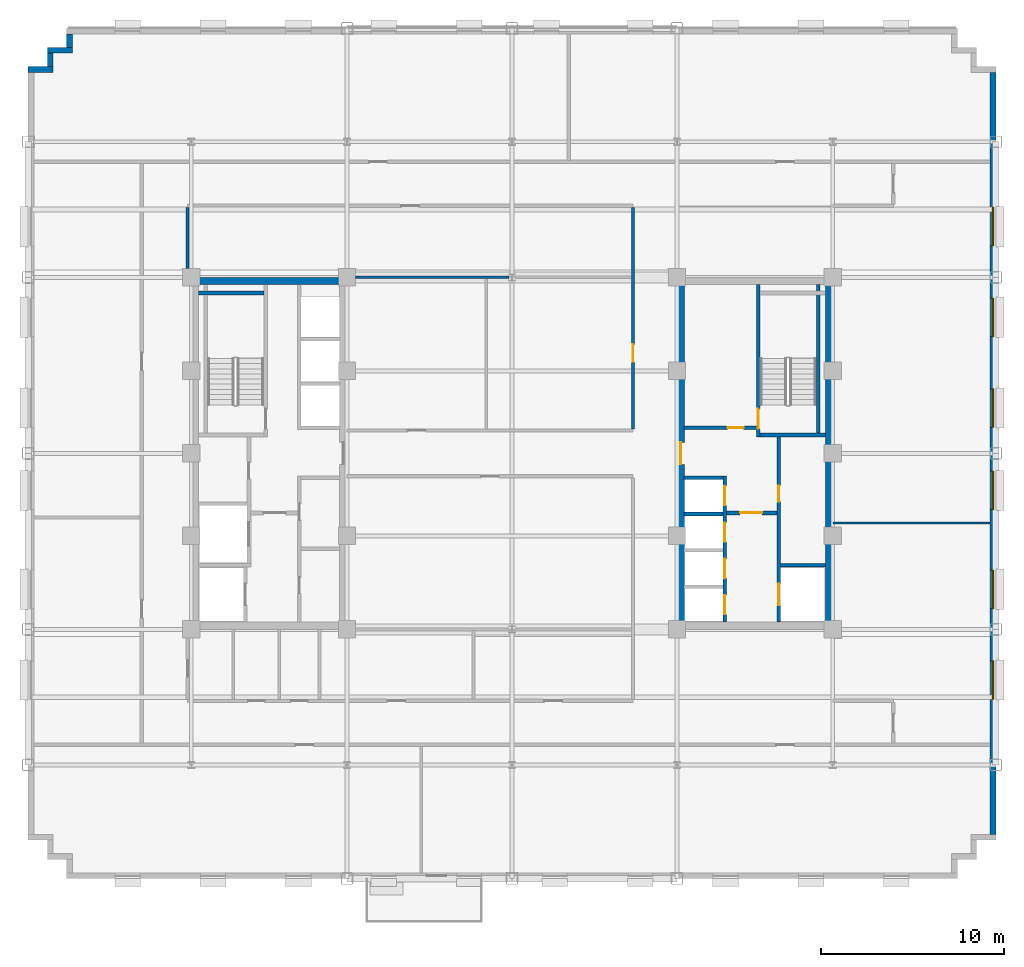
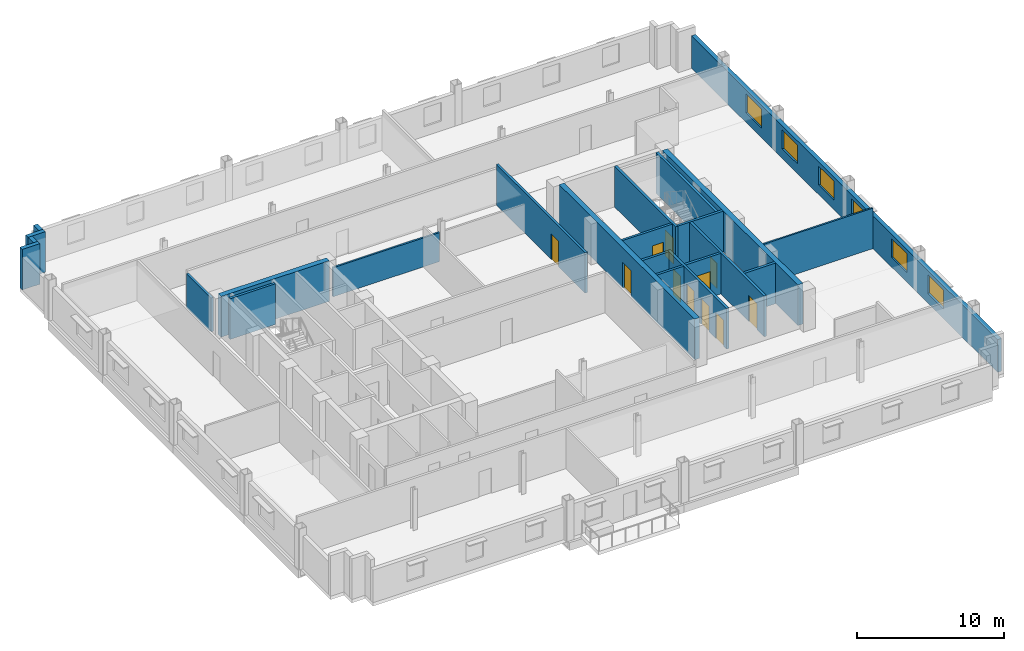
# One storey, part 8 of 14: 23 walls, 11 doors, 6 windows, 17 openings.
"""IFC4 building model written with IfcOpenShell, lengths in metres."""

import ifcopenshell
import ifcopenshell.guid

model = None  # the IFC model being written
_history = None  # IfcOwnerHistory: only IFC2X3 demands one
_inside = {}  # id of a spatial element -> (the spatial element, [elements in it])
_under = {}  # id of a project, library or spatial element -> (it, [spatial elements below it])
_declared = {}  # id of a project -> (the project, [libraries it declares])
_typed = {}  # id of a type object -> (the type object, [elements of that type])
_made_of = {}  # id of a material, layer set ... -> (it, [elements and type objects made of it])


def new_model(schema):
    """Start an empty IFC model of exactly this schema.

    Asked for "IFC4X3", IfcOpenShell would pick the latest addendum, in which some entities
    have other attributes; the version numbers below select the first issue.
    IFC2X3 requires an IfcOwnerHistory on every rooted entity: one is made here for all.
    """
    global model, _history
    if schema == "IFC4X3":
        model = ifcopenshell.file(schema_version=(4, 3, 0, 0))
    else:
        model = ifcopenshell.file(schema=schema)
    _inside.clear()
    _under.clear()
    _declared.clear()
    _typed.clear()
    _made_of.clear()
    _history = None
    if model.schema == "IFC2X3":
        org = make("IfcOrganization", Name="unknown")
        user = make(
            "IfcPersonAndOrganization",
            ThePerson=make("IfcPerson", FamilyName="unknown"),
            TheOrganization=org,
        )
        app = make(
            "IfcApplication",
            ApplicationDeveloper=org,
            Version="unknown",
            ApplicationFullName="unknown",
            ApplicationIdentifier="unknown",
        )
        _history = make(
            "IfcOwnerHistory",
            OwningUser=user,
            OwningApplication=app,
            ChangeAction="ADDED",
            CreationDate=0,
        )
    return model


def make(cls, **values):
    """One entity of the class cls with the attributes given. An attribute that is None is left unset."""
    return model.create_entity(
        cls, **{name: value for name, value in values.items() if value is not None}
    )


def rooted(cls, **values):
    """An entity with a GlobalId (a new one), such as an element, a storey or a relation."""
    return make(cls, GlobalId=ifcopenshell.guid.new(), OwnerHistory=_history, **values)


def si_unit(unit_type, name, prefix=None):
    """IfcSIUnit, for example si_unit("LENGTHUNIT", "METRE", prefix="MILLI")."""
    return make("IfcSIUnit", UnitType=unit_type, Prefix=prefix, Name=name)


def assignment(units):
    """IfcUnitAssignment: the units of a project."""
    return None if units is None else make("IfcUnitAssignment", Units=units)


def point(xyz):
    """IfcCartesianPoint."""
    return None if xyz is None else make("IfcCartesianPoint", Coordinates=xyz)


def direction(xyz):
    """IfcDirection."""
    return None if xyz is None else make("IfcDirection", DirectionRatios=xyz)


def frame(location, z_axis=None, x_axis=None):
    """IfcAxis2Placement3D, a coordinate frame: its origin and axes. An axis left out is left unset."""
    return make(
        "IfcAxis2Placement3D",
        Location=point(location),
        Axis=direction(z_axis),
        RefDirection=direction(x_axis),
    )


def frame_2d(location, x_axis=None):
    """IfcAxis2Placement2D, a coordinate frame in the plane: its origin and x axis."""
    return make(
        "IfcAxis2Placement2D", Location=point(location), RefDirection=direction(x_axis)
    )


def origin():
    """The frame at (0, 0, 0) with its axes left unset."""
    return frame((0.0, 0.0, 0.0))


def place(relative_to, where):
    """IfcLocalPlacement: puts the frame where relative to a parent placement (None: the world)."""
    return make(
        "IfcLocalPlacement", PlacementRelTo=relative_to, RelativePlacement=where
    )


def context(
    kind, dimensions, precision=None, world=None, true_north=None, identifier=None
):
    """IfcGeometricRepresentationContext, for example the 3D "Model" context."""
    return make(
        "IfcGeometricRepresentationContext",
        ContextIdentifier=identifier,
        ContextType=kind,
        CoordinateSpaceDimension=dimensions,
        Precision=precision,
        WorldCoordinateSystem=world,
        TrueNorth=true_north,
    )


def subcontext(parent, identifier, kind, view, scale=None):
    """IfcGeometricRepresentationSubContext, for example "Body" below "Model"."""
    return make(
        "IfcGeometricRepresentationSubContext",
        ContextIdentifier=identifier,
        ContextType=kind,
        ParentContext=parent,
        TargetScale=scale,
        TargetView=view,
    )


def project(units=None, contexts=None):
    """IfcProject with its units and contexts."""
    return rooted(
        "IfcProject",
        Name="project",
        RepresentationContexts=contexts,
        UnitsInContext=assignment(units),
    )


def spatial(cls, under=None, at=None, **own):
    """A site, building, storey or space (cls), placed at a placement, below another one or the project."""
    s = rooted(cls, ObjectPlacement=at, **own)
    if under is not None:
        _under.setdefault(under.id(), (under, []))[1].append(s)
    return s


def profile(cls, at=None, kind="AREA", **sizes):
    """A parametric profile (cls). Its sizes go by their IFC names, for example OverallWidth=200.0."""
    return make(cls, ProfileType=kind, Position=at, **sizes)


def rectangle(**sizes):
    """IfcRectangleProfileDef."""
    return profile("IfcRectangleProfileDef", **sizes)


def extrude(swept, where, along, depth):
    """IfcExtrudedAreaSolid: the profile swept, set in the frame where, extruded along a direction by depth."""
    return make(
        "IfcExtrudedAreaSolid",
        SweptArea=swept,
        Position=where,
        ExtrudedDirection=direction(along),
        Depth=depth,
    )


def shape(context_of_items, identifier, shape_type, items):
    """IfcShapeRepresentation: the items that make up one representation, for example the "Body"."""
    return make(
        "IfcShapeRepresentation",
        ContextOfItems=context_of_items,
        RepresentationIdentifier=identifier,
        RepresentationType=shape_type,
        Items=items,
    )


def source(mapping_origin, context_of_items, identifier, shape_type, items):
    """IfcRepresentationMap: a shape defined once, which mapped items show again and again."""
    return make(
        "IfcRepresentationMap",
        MappingOrigin=mapping_origin,
        MappedRepresentation=shape(context_of_items, identifier, shape_type, items),
    )


def transform(
    local_origin,
    x_axis=None,
    y_axis=None,
    z_axis=None,
    scale=None,
    scale2=None,
    scale3=None,
    uniform=True,
):
    """IfcCartesianTransformationOperator3D, or its non-uniform kind. x_axis, y_axis, z_axis: its Axis1, 2, 3."""
    if uniform:
        return make(
            "IfcCartesianTransformationOperator3D",
            Axis1=direction(x_axis),
            Axis2=direction(y_axis),
            LocalOrigin=point(local_origin),
            Scale=scale,
            Axis3=direction(z_axis),
        )
    return make(
        "IfcCartesianTransformationOperator3DnonUniform",
        Axis1=direction(x_axis),
        Axis2=direction(y_axis),
        LocalOrigin=point(local_origin),
        Scale=scale,
        Axis3=direction(z_axis),
        Scale2=scale2,
        Scale3=scale3,
    )


def mapped(mapping_source, mapping_target):
    """IfcMappedItem: shows the shape of a source again, moved by a transform."""
    return make(
        "IfcMappedItem", MappingSource=mapping_source, MappingTarget=mapping_target
    )


def material(Name=None, Category=None):
    """IfcMaterial."""
    return make("IfcMaterial", Name=Name, Category=Category)


def layer(
    of_material, thickness, ventilated=None, Name=None, Category=None, Priority=None
):
    """IfcMaterialLayer: one layer of a wall or slab, of a material (None: an air gap)."""
    return make(
        "IfcMaterialLayer",
        Material=of_material,
        LayerThickness=thickness,
        IsVentilated=ventilated,
        Name=Name,
        Category=Category,
        Priority=Priority,
    )


def layer_set(layers, Name=None):
    """IfcMaterialLayerSet."""
    return make("IfcMaterialLayerSet", MaterialLayers=layers, LayerSetName=Name)


def made_of(thing, what):
    """Note that an element or type object is made of a material, layer set ...; save() writes the relation."""
    if what is not None:
        _made_of.setdefault(what.id(), (what, []))[1].append(thing)
    return thing


def type_object(cls, material=None, **own):
    """A type object (cls), such as IfcWallType, which elements share."""
    return made_of(rooted(cls, **own), material)


def type_shapes(of_type, sources):
    """Give a type object the sources (RepresentationMaps) that its elements show as mapped items."""
    of_type.RepresentationMaps = sources


def element(
    cls,
    number,
    at=None,
    inside=None,
    cuts=None,
    type_object=None,
    material=None,
    context=None,
    identifier="Body",
    shape_type=None,
    held_by="IfcProductDefinitionShape",
    body=None,
    shapes=None,
    **own,
):
    """One element of the class cls, such as IfcWall. Its Tag is "e" and its number.

    at: its placement. inside: the storey or other place that contains it. cuts: it is an
    opening in that element (IfcRelVoidsElement). A single representation is given by context,
    identifier, shape_type and body (its items); several are given by shapes. held_by: the class
    of the entity that holds the representations. save() writes the other relations.
    """
    e = rooted(cls, Tag="e%d" % number, ObjectPlacement=at, **own)
    if body is not None:
        shapes = [shape(context, identifier, shape_type, body)]
    if shapes is not None:
        e.Representation = make(held_by, Representations=shapes)
    if inside is not None:
        _inside.setdefault(inside.id(), (inside, []))[1].append(e)
    if cuts is not None:
        rooted(
            "IfcRelVoidsElement", RelatingBuildingElement=cuts, RelatedOpeningElement=e
        )
    if type_object is not None:
        _typed.setdefault(type_object.id(), (type_object, []))[1].append(e)
    return made_of(e, material)


def fill(opening, filler):
    """IfcRelFillsElement: the door or window that sits in an opening."""
    return rooted(
        "IfcRelFillsElement",
        RelatingOpeningElement=opening,
        RelatedBuildingElement=filler,
    )


def aggregate(whole, parts):
    """IfcRelAggregates: a whole, such as a stair, and the parts it consists of."""
    return rooted("IfcRelAggregates", RelatingObject=whole, RelatedObjects=parts)


def save(model, path):
    """Write the relations noted so far, then the file.

    IfcRelAggregates (storeys below a building ...), IfcRelContainedInSpatialStructure (elements
    in a storey), IfcRelDefinesByType, IfcRelAssociatesMaterial and IfcRelDeclares: one each for
    every whole, place, type object, material and project.
    """
    for whole, parts in _under.values():
        aggregate(whole, parts)
    for where, things in _inside.values():
        rooted(
            "IfcRelContainedInSpatialStructure",
            RelatedElements=things,
            RelatingStructure=where,
        )
    for kind, things in _typed.values():
        rooted("IfcRelDefinesByType", RelatedObjects=things, RelatingType=kind)
    for what, things in _made_of.values():
        rooted("IfcRelAssociatesMaterial", RelatedObjects=things, RelatingMaterial=what)
    for by, libraries in _declared.values():
        rooted("IfcRelDeclares", RelatingContext=by, RelatedDefinitions=libraries)
    model.write(path)


model = new_model("IFC4")

# Units and contexts
model_context = context("Model", 3, precision=1e-05, world=origin(), true_north=direction((0.0, 1.0)))
body_context = subcontext(model_context, "Body", "Model", "MODEL_VIEW")
ifc_project = project(units=[si_unit("LENGTHUNIT", "METRE"), si_unit("AREAUNIT", "SQUARE_METRE"), si_unit("VOLUMEUNIT", "CUBIC_METRE"), si_unit("PLANEANGLEUNIT", "RADIAN"), si_unit("MASSUNIT", "GRAM", prefix="KILO")], contexts=[model_context])

# Site, building, storey
site_placement = place(None, origin())
site = spatial("IfcSite", under=ifc_project, at=site_placement, CompositionType="ELEMENT")
building_placement = place(site_placement, origin())
building = spatial("IfcBuilding", under=site, at=building_placement, Name="Nuvemarco Arch Tower", CompositionType="ELEMENT")
storey_placement = place(building_placement, frame((0.0, 0.0, 131.14990234375)))
storey = spatial("IfcBuildingStorey", under=building, at=storey_placement, Name="L34", CompositionType="ELEMENT", Elevation=131.14990234375)

# Wall, openings, windows
ifc_material_1 = material(Name="Precast concrete C45/55", Category="concrete")
ifc_layer_1 = layer(ifc_material_1, 0.320068359375, Name="EW-MID-320")
ifc_layer_set_1 = layer_set([ifc_layer_1], Name="Precast concrete C45/55")
wall_type_1 = type_object("IfcWallType", Name="EW-MID-320", PredefinedType="STANDARD", material=ifc_layer_set_1)
wall_1_placement = place(storey_placement, frame((26.239990234375, -20.783935546875, 0.0), z_axis=(0.0, 0.0, 1.0), x_axis=(0.0, 1.0, 0.0)))
wall_1 = element("IfcWall", 1, at=wall_1_placement, inside=storey, type_object=wall_type_1, Name="L34 exterior precast facade wall 6", PredefinedType="STANDARD", context=body_context, shape_type="SweptSolid", body=[
    extrude(rectangle(XDim=41.56787109375, YDim=0.320068359375, at=frame_2d((20.783935546875, 0.0))), origin(), (0.0, 0.0, 1.0), 2.705078125),
])
opening_1_placement = place(wall_1_placement, frame((7.368896484375, 0.0, 0.800048828125)))
opening_1 = element("IfcOpeningElement", 2, at=opening_1_placement, cuts=wall_1, Name="Opening WN-5", PredefinedType="OPENING", context=body_context, shape_type="SweptSolid", body=[
    extrude(rectangle(XDim=2.10009765625, YDim=1.56005859375, at=frame_2d((1.050048828125, 0.780029296875))), frame((0.0, 0.169921875, 0.0), z_axis=(0.0, -1.0, 0.0), x_axis=(1.0, 0.0, 0.0)), (0.0, 0.0, 1.0), 0.340087890625),
])
opening_2_placement = place(wall_1_placement, frame((12.31494140625, 0.0, 0.800048828125)))
opening_2 = element("IfcOpeningElement", 3, at=opening_2_placement, cuts=wall_1, Name="Opening WN-5", PredefinedType="OPENING", context=body_context, shape_type="SweptSolid", body=[
    extrude(rectangle(XDim=2.10009765625, YDim=1.56005859375, at=frame_2d((1.050048828125, 0.780029296875))), frame((0.0, 0.169921875, 0.0), z_axis=(0.0, -1.0, 0.0), x_axis=(1.0, 0.0, 0.0)), (0.0, 0.0, 1.0), 0.340087890625),
])
opening_3_placement = place(wall_1_placement, frame((17.7109375, 0.0, 0.800048828125)))
opening_3 = element("IfcOpeningElement", 4, at=opening_3_placement, cuts=wall_1, Name="Opening WN-5", PredefinedType="OPENING", context=body_context, shape_type="SweptSolid", body=[
    extrude(rectangle(XDim=2.10009765625, YDim=1.56005859375, at=frame_2d((1.050048828125, 0.780029296875))), frame((0.0, 0.169921875, 0.0), z_axis=(0.0, -1.0, 0.0), x_axis=(1.0, 0.0, 0.0)), (0.0, 0.0, 1.0), 0.340087890625),
])
opening_4_placement = place(wall_1_placement, frame((22.20703125, 0.0, 0.800048828125)))
opening_4 = element("IfcOpeningElement", 5, at=opening_4_placement, cuts=wall_1, Name="Opening WN-5", PredefinedType="OPENING", context=body_context, shape_type="SweptSolid", body=[
    extrude(rectangle(XDim=2.10009765625, YDim=1.56005859375, at=frame_2d((1.050048828125, 0.780029296875))), frame((0.0, 0.169921875, 0.0), z_axis=(0.0, -1.0, 0.0), x_axis=(1.0, 0.0, 0.0)), (0.0, 0.0, 1.0), 0.340087890625),
])
opening_5_placement = place(wall_1_placement, frame((27.153076171875, 0.0, 0.800048828125)))
opening_5 = element("IfcOpeningElement", 6, at=opening_5_placement, cuts=wall_1, Name="Opening WN-5", PredefinedType="OPENING", context=body_context, shape_type="SweptSolid", body=[
    extrude(rectangle(XDim=2.10009765625, YDim=1.56005859375, at=frame_2d((1.050048828125, 0.780029296875))), frame((0.0, 0.169921875, 0.0), z_axis=(0.0, -1.0, 0.0), x_axis=(1.0, 0.0, 0.0)), (0.0, 0.0, 1.0), 0.340087890625),
])
opening_6_placement = place(wall_1_placement, frame((32.09912109375, 0.0, 0.800048828125)))
opening_6 = element("IfcOpeningElement", 7, at=opening_6_placement, cuts=wall_1, Name="Opening WN-5", PredefinedType="OPENING", context=body_context, shape_type="SweptSolid", body=[
    extrude(rectangle(XDim=2.10009765625, YDim=1.56005859375, at=frame_2d((1.050048828125, 0.780029296875))), frame((0.0, 0.169921875, 0.0), z_axis=(0.0, -1.0, 0.0), x_axis=(1.0, 0.0, 0.0)), (0.0, 0.0, 1.0), 0.340087890625),
])
ifc_material_2 = material(Name="Insulated solar-control glass", Category="glass")
window_type = type_object("IfcWindowType", Name="WN-MID-2100x1560", PartitioningType="DOUBLE_PANEL_VERTICAL", PredefinedType="WINDOW", material=ifc_material_2)
shared_shape_1 = source(origin(), body_context, "Body", "SweptSolid", [
    extrude(rectangle(XDim=2.10009765625, YDim=1.56005859375, at=frame_2d((1.050048828125, 0.780029296875))), frame((0.0, 0.030029296875, 0.0), z_axis=(0.0, -1.0, 0.0), x_axis=(1.0, 0.0, 0.0)), (0.0, 0.0, 1.0), 0.06005859375),
])
type_shapes(window_type, [shared_shape_1])
window_1_placement = place(opening_1_placement, origin())
window_1 = element("IfcWindow", 8, at=window_1_placement, inside=storey, type_object=window_type, Name="L34 punched facade window 2", OverallHeight=1.56005859375, OverallWidth=2.10009765625, PartitioningType="SINGLE_PANEL", PredefinedType="WINDOW", context=body_context, shape_type="MappedRepresentation", body=[
    mapped(shared_shape_1, transform((0.0, 0.0, 0.0), scale=1.0)),
])
fill(opening_1, window_1)
window_2_placement = place(opening_2_placement, origin())
window_2 = element("IfcWindow", 9, at=window_2_placement, inside=storey, type_object=window_type, Name="L34 punched facade window 3", OverallHeight=1.56005859375, OverallWidth=2.10009765625, PartitioningType="SINGLE_PANEL", PredefinedType="WINDOW", context=body_context, shape_type="MappedRepresentation", body=[
    mapped(shared_shape_1, transform((0.0, 0.0, 0.0), scale=1.0)),
])
fill(opening_2, window_2)
window_3_placement = place(opening_3_placement, origin())
window_3 = element("IfcWindow", 10, at=window_3_placement, inside=storey, type_object=window_type, Name="L34 punched facade window 4", OverallHeight=1.56005859375, OverallWidth=2.10009765625, PartitioningType="SINGLE_PANEL", PredefinedType="WINDOW", context=body_context, shape_type="MappedRepresentation", body=[
    mapped(shared_shape_1, transform((0.0, 0.0, 0.0), scale=1.0)),
])
fill(opening_3, window_3)
window_4_placement = place(opening_4_placement, origin())
window_4 = element("IfcWindow", 11, at=window_4_placement, inside=storey, type_object=window_type, Name="L34 punched facade window 5", OverallHeight=1.56005859375, OverallWidth=2.10009765625, PartitioningType="SINGLE_PANEL", PredefinedType="WINDOW", context=body_context, shape_type="MappedRepresentation", body=[
    mapped(shared_shape_1, transform((0.0, 0.0, 0.0), scale=1.0)),
])
fill(opening_4, window_4)
window_5_placement = place(opening_5_placement, origin())
window_5 = element("IfcWindow", 12, at=window_5_placement, inside=storey, type_object=window_type, Name="L34 punched facade window 6", OverallHeight=1.56005859375, OverallWidth=2.10009765625, PartitioningType="SINGLE_PANEL", PredefinedType="WINDOW", context=body_context, shape_type="MappedRepresentation", body=[
    mapped(shared_shape_1, transform((0.0, 0.0, 0.0), scale=1.0)),
])
fill(opening_5, window_5)
window_6_placement = place(opening_6_placement, origin())
window_6 = element("IfcWindow", 13, at=window_6_placement, inside=storey, type_object=window_type, Name="L34 punched facade window 7", OverallHeight=1.56005859375, OverallWidth=2.10009765625, PartitioningType="SINGLE_PANEL", PredefinedType="WINDOW", context=body_context, shape_type="MappedRepresentation", body=[
    mapped(shared_shape_1, transform((0.0, 0.0, 0.0), scale=1.0)),
])
fill(opening_6, window_6)

# Walls
wall_2_placement = place(storey_placement, frame((-24.139892578125, 22.14599609375, 0.0), z_axis=(0.0, 0.0, 1.0), x_axis=(0.0, 1.0, 0.0)))
element("IfcWall", 14, at=wall_2_placement, inside=storey, type_object=wall_type_1, Name="L34 exterior precast facade wall 12", PredefinedType="STANDARD", context=body_context, shape_type="SweptSolid", body=[
    extrude(rectangle(XDim=0.738037109375, YDim=0.320068359375, at=frame_2d((0.369140625, 0.0))), origin(), (0.0, 0.0, 1.0), 3.360107421875),
])
wall_3_placement = place(storey_placement, frame((-25.35009765625, 21.989990234375, 0.0), z_axis=(0.0, 0.0, 1.0), x_axis=(1.0, 0.0, 0.0)))
element("IfcWall", 15, at=wall_3_placement, inside=storey, type_object=wall_type_1, Name="L34 exterior precast facade wall 13", PredefinedType="STANDARD", context=body_context, shape_type="SweptSolid", body=[
    extrude(rectangle(XDim=1.3701171875, YDim=0.320068359375, at=frame_2d((0.68505859375, 0.0))), origin(), (0.0, 0.0, 1.0), 3.360107421875),
])
wall_4_placement = place(storey_placement, frame((-25.18994140625, 21.095947265625, 0.0), z_axis=(0.0, 0.0, 1.0), x_axis=(0.0, 1.0, 0.0)))
element("IfcWall", 16, at=wall_4_placement, inside=storey, type_object=wall_type_1, Name="L34 exterior precast facade wall 14", PredefinedType="STANDARD", context=body_context, shape_type="SweptSolid", body=[
    extrude(rectangle(XDim=0.738037109375, YDim=0.320068359375, at=frame_2d((0.369140625, 0.0))), origin(), (0.0, 0.0, 1.0), 3.360107421875),
])
wall_5_placement = place(storey_placement, frame((-26.39990234375, 20.93994140625, 0.0), z_axis=(0.0, 0.0, 1.0), x_axis=(1.0, 0.0, 0.0)))
element("IfcWall", 17, at=wall_5_placement, inside=storey, type_object=wall_type_1, Name="L34 exterior precast facade wall 15", PredefinedType="STANDARD", context=body_context, shape_type="SweptSolid", body=[
    extrude(rectangle(XDim=1.369873046875, YDim=0.320068359375, at=frame_2d((0.68505859375, 0.0))), origin(), (0.0, 0.0, 1.0), 3.360107421875),
])
ifc_material_3 = material(Name="Concrete C60/75", Category="concrete")
ifc_layer_2 = layer(ifc_material_3, 0.39990234375, Name="WL-CORE-400")
ifc_layer_set_2 = layer_set([ifc_layer_2], Name="Concrete C60/75")
wall_type_2 = type_object("IfcWallType", Name="WL-CORE-400", PredefinedType="SHEAR", material=ifc_layer_set_2)
wall_6_placement = place(storey_placement, frame((-17.5, 9.39990234375, 0.0), z_axis=(0.0, 0.0, 1.0), x_axis=(1.0, 0.0, 0.0)))
element("IfcWall", 18, at=wall_6_placement, inside=storey, type_object=wall_type_2, Name="L34 W-core shear wall N", PredefinedType="SHEAR", context=body_context, shape_type="SweptSolid", body=[
    extrude(rectangle(XDim=8.5, YDim=0.39990234375, at=frame_2d((4.25, 0.0))), origin(), (0.0, 0.0, 1.0), 3.3701171875),
])

# Wall, opening, door
wall_7_placement = place(storey_placement, frame((9.199951171875, -9.205078125, 0.0), z_axis=(0.0, 0.0, 1.0), x_axis=(0.0, 1.0, 0.0)))
wall_7 = element("IfcWall", 19, at=wall_7_placement, inside=storey, type_object=wall_type_2, Name="L34 E-core shear wall W", PredefinedType="SHEAR", context=body_context, shape_type="SweptSolid", body=[
    extrude(rectangle(XDim=18.41015625, YDim=0.39990234375, at=frame_2d((9.205078125, 0.0))), origin(), (0.0, 0.0, 1.0), 3.3701171875),
])
opening_7_placement = place(wall_7_placement, frame((8.60498046875, 0.0, 0.0)))
opening_7 = element("IfcOpeningElement", 20, at=opening_7_placement, cuts=wall_7, Name="Opening FD-2", PredefinedType="OPENING", context=body_context, shape_type="SweptSolid", body=[
    extrude(rectangle(XDim=1.199951171875, YDim=2.14990234375, at=frame_2d((0.60009765625, 1.074951171875))), frame((0.0, 0.2099609375, 0.0), z_axis=(0.0, -1.0, 0.0), x_axis=(1.0, 0.0, 0.0)), (0.0, 0.0, 1.0), 0.419921875),
])
ifc_material_4 = material(Name="Anodised steel fire door", Category="steel")
door_type_1 = type_object("IfcDoorType", Name="DR-FFLOB-FD", OperationType="NOTDEFINED", PredefinedType="DOOR", material=ifc_material_4)
shared_shape_2 = source(origin(), body_context, "Body", "SweptSolid", [
    extrude(rectangle(XDim=1.199951171875, YDim=2.14990234375, at=frame_2d((0.60009765625, 1.074951171875))), frame((0.0, 0.02490234375, 0.0), z_axis=(0.0, -1.0, 0.0), x_axis=(1.0, 0.0, 0.0)), (0.0, 0.0, 1.0), 0.050048828125),
])
type_shapes(door_type_1, [shared_shape_2])
door_1_placement = place(opening_7_placement, origin())
door_1 = element("IfcDoor", 21, at=door_1_placement, inside=storey, type_object=door_type_1, Name="L34 door FD-L34-ECORE-W", OperationType="SINGLE_SWING_RIGHT", OverallHeight=2.14990234375, OverallWidth=1.199951171875, PredefinedType="DOOR", context=body_context, shape_type="MappedRepresentation", body=[
    mapped(shared_shape_2, transform((0.0, 0.0, 0.0), scale=1.0)),
])
fill(opening_7, door_1)

# Wall
wall_8_placement = place(storey_placement, frame((17.300048828125, -9.205078125, 0.0), z_axis=(0.0, 0.0, 1.0), x_axis=(0.0, 1.0, 0.0)))
element("IfcWall", 22, at=wall_8_placement, inside=storey, type_object=wall_type_2, Name="L34 E-core shear wall E", PredefinedType="SHEAR", context=body_context, shape_type="SweptSolid", body=[
    extrude(rectangle(XDim=18.41015625, YDim=0.39990234375, at=frame_2d((9.205078125, 0.0))), origin(), (0.0, 0.0, 1.0), 3.3701171875),
])

# Wall, opening, door
ifc_material_5 = material(Name="Fire-rated gypsum drywall partition")
ifc_layer_3 = layer(ifc_material_5, 0.179931640625, Name="WL-CORR-180")
ifc_layer_set_3 = layer_set([ifc_layer_3], Name="Fire-rated gypsum drywall partition")
wall_type_3 = type_object("IfcWallType", Name="WL-CORR-180", PredefinedType="PARTITIONING", material=ifc_layer_set_3)
wall_9_placement = place(storey_placement, frame((9.39501953125, 1.39990234375, 0.0), z_axis=(0.0, 0.0, 1.0), x_axis=(1.0, 0.0, 0.0)))
wall_9 = element("IfcWall", 23, at=wall_9_placement, inside=storey, type_object=wall_type_3, Name="L34 interior wall IW-L34-EK-S", PredefinedType="PARTITIONING", context=body_context, shape_type="SweptSolid", body=[
    extrude(rectangle(XDim=3.949951171875, YDim=0.179931640625, at=frame_2d((1.97509765625, 0.0))), origin(), (0.0, 0.0, 1.0), 3.360107421875),
])
opening_8_placement = place(wall_9_placement, frame((2.364990234375, 0.0, 0.0)))
opening_8 = element("IfcOpeningElement", 24, at=opening_8_placement, cuts=wall_9, Name="Opening FD-4", PredefinedType="OPENING", context=body_context, shape_type="SweptSolid", body=[
    extrude(rectangle(XDim=0.8798828125, YDim=2.10009765625, at=frame_2d((0.43994140625, 1.050048828125))), frame((0.0, 0.099853515625, 0.0), z_axis=(0.0, -1.0, 0.0), x_axis=(1.0, 0.0, 0.0)), (0.0, 0.0, 1.0), 0.199951171875),
])
door_type_2 = type_object("IfcDoorType", Name="DR-RISER-FD", OperationType="NOTDEFINED", PredefinedType="DOOR", material=ifc_material_4)
shared_shape_3 = source(origin(), body_context, "Body", "SweptSolid", [
    extrude(rectangle(XDim=0.8798828125, YDim=2.10009765625, at=frame_2d((0.43994140625, 1.050048828125))), frame((0.0, 0.02490234375, 0.0), z_axis=(0.0, -1.0, 0.0), x_axis=(1.0, 0.0, 0.0)), (0.0, 0.0, 1.0), 0.050048828125),
])
type_shapes(door_type_2, [shared_shape_3])
door_2_placement = place(opening_8_placement, origin())
door_2 = element("IfcDoor", 25, at=door_2_placement, inside=storey, type_object=door_type_2, Name="L34 door FD-L34-EK1A", OperationType="SINGLE_SWING_LEFT", OverallHeight=2.10009765625, OverallWidth=0.8798828125, PredefinedType="DOOR", context=body_context, shape_type="MappedRepresentation", body=[
    mapped(shared_shape_3, transform((0.0, 0.0, 0.0), scale=1.0)),
])
fill(opening_8, door_2)

# Wall
wall_10_placement = place(storey_placement, frame((-17.699951171875, 10.071044921875, 0.0), z_axis=(0.0, 0.0, 1.0), x_axis=(0.0, 1.0, 0.0)))
element("IfcWall", 26, at=wall_10_placement, inside=storey, type_object=wall_type_3, Name="L34 interior wall IW-L34-017", PredefinedType="PARTITIONING", context=body_context, shape_type="SweptSolid", body=[
    extrude(rectangle(XDim=3.343017578125, YDim=0.179931640625, at=frame_2d((1.67138671875, 0.0))), origin(), (0.0, 0.0, 1.0), 2.816162109375),
])

# Wall, opening, door
wall_11_placement = place(storey_placement, frame((6.60009765625, 1.3359375, 0.0), z_axis=(0.0, 0.0, 1.0), x_axis=(0.0, 1.0, 0.0)))
wall_11 = element("IfcWall", 27, at=wall_11_placement, inside=storey, type_object=wall_type_3, Name="L34 interior wall IW-L34-026", PredefinedType="PARTITIONING", context=body_context, shape_type="SweptSolid", body=[
    extrude(rectangle(XDim=12.078125, YDim=0.179931640625, at=frame_2d((6.0390625, 0.0))), origin(), (0.0, 0.0, 1.0), 3.360107421875),
])
opening_9_placement = place(wall_11_placement, frame((3.652099609375, 0.0, 0.0)))
opening_9 = element("IfcOpeningElement", 28, at=opening_9_placement, cuts=wall_11, Name="Opening FD-5", PredefinedType="OPENING", context=body_context, shape_type="SweptSolid", body=[
    extrude(rectangle(XDim=0.9599609375, YDim=2.10009765625, at=frame_2d((0.47998046875, 1.050048828125))), frame((0.0, 0.099853515625, 0.0), z_axis=(0.0, -1.0, 0.0), x_axis=(1.0, 0.0, 0.0)), (0.0, 0.0, 1.0), 0.199951171875),
])
ifc_material_6 = material(Name="Timber fire door", Category="wood")
door_type_3 = type_object("IfcDoorType", Name="DR-CORR-FD", OperationType="NOTDEFINED", PredefinedType="DOOR", material=ifc_material_6)
shared_shape_4 = source(origin(), body_context, "Body", "SweptSolid", [
    extrude(rectangle(XDim=0.9599609375, YDim=2.10009765625, at=frame_2d((0.47998046875, 1.050048828125))), frame((0.0, 0.02490234375, 0.0), z_axis=(0.0, -1.0, 0.0), x_axis=(1.0, 0.0, 0.0)), (0.0, 0.0, 1.0), 0.050048828125),
])
type_shapes(door_type_3, [shared_shape_4])
door_3_placement = place(opening_9_placement, origin())
door_3 = element("IfcDoor", 29, at=door_3_placement, inside=storey, type_object=door_type_3, Name="L34 door DR-L34-C_N2", OperationType="SINGLE_SWING_RIGHT", OverallHeight=2.10009765625, OverallWidth=0.9599609375, PredefinedType="DOOR", context=body_context, shape_type="MappedRepresentation", body=[
    mapped(shared_shape_4, transform((0.0, 0.0, 0.0), scale=1.0)),
])
fill(opening_9, door_3)

# Walls
ifc_material_7 = material(Name="Glazed acoustic office partition")
ifc_layer_4 = layer(ifc_material_7, 0.1298828125, Name="WL-EXEC-130")
ifc_layer_set_4 = layer_set([ifc_layer_4], Name="Glazed acoustic office partition")
wall_type_4 = type_object("IfcWallType", Name="WL-EXEC-130", PredefinedType="PARTITIONING", material=ifc_layer_set_4)
wall_12_placement = place(storey_placement, frame((17.5, -3.800048828125, 0.0), z_axis=(0.0, 0.0, 1.0), x_axis=(1.0, 0.0, 0.0)))
element("IfcWall", 30, at=wall_12_placement, inside=storey, type_object=wall_type_4, Name="L34 interior wall IW-L34-006", PredefinedType="PARTITIONING", context=body_context, shape_type="SweptSolid", body=[
    extrude(rectangle(XDim=8.580078125, YDim=0.1298828125, at=frame_2d((4.2900390625, 0.0))), origin(), (0.0, 0.0, 1.0), 3.360107421875),
])
ifc_material_8 = material(Name="Gypsum plasterboard partition")
ifc_layer_5 = layer(ifc_material_8, 0.139892578125, Name="WL-ROOM-140")
ifc_layer_set_5 = layer_set([ifc_layer_5], Name="Gypsum plasterboard partition")
wall_type_5 = type_object("IfcWallType", Name="WL-ROOM-140", PredefinedType="PARTITIONING", material=ifc_layer_set_5)
wall_13_placement = place(storey_placement, frame((-8.529052734375, 9.60009765625, 0.0), z_axis=(0.0, 0.0, 1.0), x_axis=(1.0, 0.0, 0.0)))
element("IfcWall", 31, at=wall_13_placement, inside=storey, type_object=wall_type_5, Name="L34 interior wall IW-L34-010", PredefinedType="PARTITIONING", context=body_context, shape_type="SweptSolid", body=[
    extrude(rectangle(XDim=8.35302734375, YDim=0.139892578125, at=frame_2d((4.176513671875, 0.0))), origin(), (0.0, 0.0, 1.0), 2.405029296875),
])
ifc_material_9 = material(Name="Concrete C50/60", Category="concrete")
ifc_layer_6 = layer(ifc_material_9, 0.199951171875, Name="WL-SHAFT-220")
ifc_layer_set_6 = layer_set([ifc_layer_6], Name="Concrete C50/60")
wall_type_6 = type_object("IfcWallType", Name="WL-SHAFT-220", PredefinedType="SHEAR", material=ifc_layer_set_6)
wall_14_placement = place(storey_placement, frame((-17.10498046875, 8.75, 0.0), z_axis=(0.0, 0.0, 1.0), x_axis=(1.0, 0.0, 0.0)))
element("IfcWall", 32, at=wall_14_placement, inside=storey, type_object=wall_type_6, Name="L34 structural shaft wall SW-L34-W-ST1N", PredefinedType="SHEAR", context=body_context, shape_type="SweptSolid", body=[
    extrude(rectangle(XDim=3.570068359375, YDim=0.199951171875, at=frame_2d((1.78515625, 0.0))), origin(), (0.0, 0.0, 1.0), 3.3701171875),
])

# Wall, opening, door
wall_15_placement = place(storey_placement, frame((13.43994140625, 0.89990234375, 0.0), z_axis=(0.0, 0.0, 1.0), x_axis=(0.0, 1.0, 0.0)))
wall_15 = element("IfcWall", 33, at=wall_15_placement, inside=storey, type_object=wall_type_6, Name="L34 structural shaft wall SW-L34-E-ST2W", PredefinedType="SHEAR", context=body_context, shape_type="SweptSolid", body=[
    extrude(rectangle(XDim=8.30517578125, YDim=0.199951171875, at=frame_2d((4.152587890625, 0.0))), origin(), (0.0, 0.0, 1.0), 3.3701171875),
])
opening_10_placement = place(wall_15_placement, frame((0.429931640625, 0.0, 0.0)))
opening_10 = element("IfcOpeningElement", 34, at=opening_10_placement, cuts=wall_15, Name="Opening FD-1", PredefinedType="OPENING", context=body_context, shape_type="SweptSolid", body=[
    extrude(rectangle(XDim=1.10009765625, YDim=2.14990234375, at=frame_2d((0.550048828125, 1.074951171875))), frame((0.0, 0.10986328125, 0.0), z_axis=(0.0, -1.0, 0.0), x_axis=(1.0, 0.0, 0.0)), (0.0, 0.0, 1.0), 0.219970703125),
])
door_type_4 = type_object("IfcDoorType", Name="DR-STAIR-FD", OperationType="NOTDEFINED", PredefinedType="DOOR", material=ifc_material_4)
shared_shape_5 = source(origin(), body_context, "Body", "SweptSolid", [
    extrude(rectangle(XDim=1.10009765625, YDim=2.14990234375, at=frame_2d((0.550048828125, 1.074951171875))), frame((0.0, 0.02490234375, 0.0), z_axis=(0.0, -1.0, 0.0), x_axis=(1.0, 0.0, 0.0)), (0.0, 0.0, 1.0), 0.050048828125),
])
type_shapes(door_type_4, [shared_shape_5])
door_4_placement = place(opening_10_placement, origin())
door_4 = element("IfcDoor", 35, at=door_4_placement, inside=storey, type_object=door_type_4, Name="L34 door FD-L34-ST2", OperationType="SINGLE_SWING_RIGHT", OverallHeight=2.14990234375, OverallWidth=1.10009765625, PredefinedType="DOOR", context=body_context, shape_type="MappedRepresentation", body=[
    mapped(shared_shape_5, transform((0.0, 0.0, 0.0), scale=1.0)),
])
fill(opening_10, door_4)

# Walls
wall_16_placement = place(storey_placement, frame((13.534912109375, 1.0, 0.0), z_axis=(0.0, 0.0, 1.0), x_axis=(1.0, 0.0, 0.0)))
element("IfcWall", 36, at=wall_16_placement, inside=storey, type_object=wall_type_6, Name="L34 structural shaft wall SW-L34-E-ST2S", PredefinedType="SHEAR", context=body_context, shape_type="SweptSolid", body=[
    extrude(rectangle(XDim=3.570068359375, YDim=0.199951171875, at=frame_2d((1.78515625, 0.0))), origin(), (0.0, 0.0, 1.0), 3.3701171875),
])
wall_17_placement = place(storey_placement, frame((16.699951171875, 1.094970703125, 0.0), z_axis=(0.0, 0.0, 1.0), x_axis=(0.0, 1.0, 0.0)))
element("IfcWall", 37, at=wall_17_placement, inside=storey, type_object=wall_type_6, Name="L34 structural shaft wall SW-L34-E-ST2E", PredefinedType="SHEAR", context=body_context, shape_type="SweptSolid", body=[
    extrude(rectangle(XDim=8.110107421875, YDim=0.199951171875, at=frame_2d((4.05517578125, 0.0))), origin(), (0.0, 0.0, 1.0), 3.3701171875),
])

# Wall, openings, doors
wall_18_placement = place(storey_placement, frame((14.550048828125, -9.205078125, 0.0), z_axis=(0.0, 0.0, 1.0), x_axis=(0.0, 1.0, 0.0)))
wall_18 = element("IfcWall", 38, at=wall_18_placement, inside=storey, type_object=wall_type_6, Name="L34 structural shaft wall SW-L34-E-SHW", PredefinedType="SHEAR", context=body_context, shape_type="SweptSolid", body=[
    extrude(rectangle(XDim=10.110107421875, YDim=0.199951171875, at=frame_2d((5.05517578125, 0.0))), origin(), (0.0, 0.0, 1.0), 3.3701171875),
])
opening_11_placement = place(wall_18_placement, frame((6.56494140625, 0.0, 0.0)))
opening_11 = element("IfcOpeningElement", 39, at=opening_11_placement, cuts=wall_18, Name="Opening FD-4", PredefinedType="OPENING", context=body_context, shape_type="SweptSolid", body=[
    extrude(rectangle(XDim=0.8798828125, YDim=2.10009765625, at=frame_2d((0.43994140625, 1.050048828125))), frame((0.0, 0.10986328125, 0.0), z_axis=(0.0, -1.0, 0.0), x_axis=(1.0, 0.0, 0.0)), (0.0, 0.0, 1.0), 0.219970703125),
])
opening_12_placement = place(wall_18_placement, frame((0.929931640625, 0.0, 0.0)))
opening_12 = element("IfcOpeningElement", 40, at=opening_12_placement, cuts=wall_18, Name="Opening LD-2", PredefinedType="OPENING", context=body_context, shape_type="SweptSolid", body=[
    extrude(rectangle(XDim=1.14990234375, YDim=2.14990234375, at=frame_2d((0.574951171875, 1.074951171875))), frame((0.0, 0.10986328125, 0.0), z_axis=(0.0, -1.0, 0.0), x_axis=(1.0, 0.0, 0.0)), (0.0, 0.0, 1.0), 0.219970703125),
])
door_5_placement = place(opening_11_placement, origin())
door_5 = element("IfcDoor", 41, at=door_5_placement, inside=storey, type_object=door_type_2, Name="L34 door FD-L34-ERIS", OperationType="SINGLE_SWING_RIGHT", OverallHeight=2.10009765625, OverallWidth=0.8798828125, PredefinedType="DOOR", context=body_context, shape_type="MappedRepresentation", body=[
    mapped(shared_shape_3, transform((0.0, 0.0, 0.0), scale=1.0)),
])
fill(opening_11, door_5)
ifc_material_10 = material(Name="Stainless steel lift door", Category="steel")
door_type_5 = type_object("IfcDoorType", Name="DR-LIFT-FIRE", OperationType="DOUBLE_DOOR_SLIDING", PredefinedType="DOOR", material=ifc_material_10)
shared_shape_6 = source(origin(), body_context, "Body", "SweptSolid", [
    extrude(rectangle(XDim=1.14990234375, YDim=2.14990234375, at=frame_2d((0.574951171875, 1.074951171875))), frame((0.0, 0.02490234375, 0.0), z_axis=(0.0, -1.0, 0.0), x_axis=(1.0, 0.0, 0.0)), (0.0, 0.0, 1.0), 0.050048828125),
])
type_shapes(door_type_5, [shared_shape_6])
door_6_placement = place(opening_12_placement, origin())
door_6 = element("IfcDoor", 42, at=door_6_placement, inside=storey, type_object=door_type_5, Name="L34 Lift landing sliding door FFL-2", OperationType="DOUBLE_DOOR_SLIDING", OverallHeight=2.14990234375, OverallWidth=1.14990234375, PredefinedType="DOOR", context=body_context, shape_type="MappedRepresentation", body=[
    mapped(shared_shape_6, transform((0.0, 0.0, 0.0), scale=1.0)),
])
fill(opening_12, door_6)

# Wall
wall_19_placement = place(storey_placement, frame((14.64501953125, -6.10009765625, 0.0), z_axis=(0.0, 0.0, 1.0), x_axis=(1.0, 0.0, 0.0)))
element("IfcWall", 43, at=wall_19_placement, inside=storey, type_object=wall_type_6, Name="L34 structural shaft wall SW-L34-E-SH1", PredefinedType="SHEAR", context=body_context, shape_type="SweptSolid", body=[
    extrude(rectangle(XDim=2.4599609375, YDim=0.199951171875, at=frame_2d((1.22998046875, 0.0))), origin(), (0.0, 0.0, 1.0), 3.3701171875),
])

# Wall, openings, doors
wall_20_placement = place(storey_placement, frame((11.60009765625, -9.205078125, 0.0), z_axis=(0.0, 0.0, 1.0), x_axis=(0.0, 1.0, 0.0)))
wall_20 = element("IfcWall", 44, at=wall_20_placement, inside=storey, type_object=wall_type_6, Name="L34 structural shaft wall SW-L34-E-PME", PredefinedType="SHEAR", context=body_context, shape_type="SweptSolid", body=[
    extrude(rectangle(XDim=7.97509765625, YDim=0.199951171875, at=frame_2d((3.987548828125, 0.0))), origin(), (0.0, 0.0, 1.0), 3.3701171875),
])
opening_13_placement = place(wall_20_placement, frame((0.419921875, 0.0, 0.0)))
opening_13 = element("IfcOpeningElement", 45, at=opening_13_placement, cuts=wall_20, Name="Opening LD-1", PredefinedType="OPENING", context=body_context, shape_type="SweptSolid", body=[
    extrude(rectangle(XDim=1.050048828125, YDim=2.14990234375, at=frame_2d((0.52490234375, 1.074951171875))), frame((0.0, 0.10986328125, 0.0), z_axis=(0.0, -1.0, 0.0), x_axis=(1.0, 0.0, 0.0)), (0.0, 0.0, 1.0), 0.219970703125),
])
opening_14_placement = place(wall_20_placement, frame((2.39990234375, 0.0, 0.0)))
opening_14 = element("IfcOpeningElement", 46, at=opening_14_placement, cuts=wall_20, Name="Opening LD-1", PredefinedType="OPENING", context=body_context, shape_type="SweptSolid", body=[
    extrude(rectangle(XDim=1.050048828125, YDim=2.14990234375, at=frame_2d((0.52490234375, 1.074951171875))), frame((0.0, 0.10986328125, 0.0), z_axis=(0.0, -1.0, 0.0), x_axis=(1.0, 0.0, 0.0)), (0.0, 0.0, 1.0), 0.219970703125),
])
opening_15_placement = place(wall_20_placement, frame((4.3798828125, 0.0, 0.0)))
opening_15 = element("IfcOpeningElement", 47, at=opening_15_placement, cuts=wall_20, Name="Opening LD-1", PredefinedType="OPENING", context=body_context, shape_type="SweptSolid", body=[
    extrude(rectangle(XDim=1.050048828125, YDim=2.14990234375, at=frame_2d((0.52490234375, 1.074951171875))), frame((0.0, 0.10986328125, 0.0), z_axis=(0.0, -1.0, 0.0), x_axis=(1.0, 0.0, 0.0)), (0.0, 0.0, 1.0), 0.219970703125),
])
opening_16_placement = place(wall_20_placement, frame((6.360107421875, 0.0, 0.0)))
opening_16 = element("IfcOpeningElement", 48, at=opening_16_placement, cuts=wall_20, Name="Opening LD-1", PredefinedType="OPENING", context=body_context, shape_type="SweptSolid", body=[
    extrude(rectangle(XDim=1.050048828125, YDim=2.14990234375, at=frame_2d((0.52490234375, 1.074951171875))), frame((0.0, 0.10986328125, 0.0), z_axis=(0.0, -1.0, 0.0), x_axis=(1.0, 0.0, 0.0)), (0.0, 0.0, 1.0), 0.219970703125),
])
door_type_6 = type_object("IfcDoorType", Name="DR-LIFT-PASS", OperationType="DOUBLE_DOOR_SLIDING", PredefinedType="DOOR", material=ifc_material_10)
shared_shape_7 = source(origin(), body_context, "Body", "SweptSolid", [
    extrude(rectangle(XDim=1.050048828125, YDim=2.14990234375, at=frame_2d((0.52490234375, 1.074951171875))), frame((0.0, 0.02490234375, 0.0), z_axis=(0.0, -1.0, 0.0), x_axis=(1.0, 0.0, 0.0)), (0.0, 0.0, 1.0), 0.050048828125),
])
type_shapes(door_type_6, [shared_shape_7])
door_7_placement = place(opening_13_placement, origin())
door_7 = element("IfcDoor", 49, at=door_7_placement, inside=storey, type_object=door_type_6, Name="L34 Lift landing sliding door PM-1", OperationType="DOUBLE_DOOR_SLIDING", OverallHeight=2.14990234375, OverallWidth=1.050048828125, PredefinedType="DOOR", context=body_context, shape_type="MappedRepresentation", body=[
    mapped(shared_shape_7, transform((0.0, 0.0, 0.0), scale=1.0)),
])
fill(opening_13, door_7)
door_8_placement = place(opening_14_placement, origin())
door_8 = element("IfcDoor", 50, at=door_8_placement, inside=storey, type_object=door_type_6, Name="L34 Lift landing sliding door PM-2", OperationType="DOUBLE_DOOR_SLIDING", OverallHeight=2.14990234375, OverallWidth=1.050048828125, PredefinedType="DOOR", context=body_context, shape_type="MappedRepresentation", body=[
    mapped(shared_shape_7, transform((0.0, 0.0, 0.0), scale=1.0)),
])
fill(opening_14, door_8)
door_9_placement = place(opening_15_placement, origin())
door_9 = element("IfcDoor", 51, at=door_9_placement, inside=storey, type_object=door_type_6, Name="L34 Lift landing sliding door PM-3", OperationType="DOUBLE_DOOR_SLIDING", OverallHeight=2.14990234375, OverallWidth=1.050048828125, PredefinedType="DOOR", context=body_context, shape_type="MappedRepresentation", body=[
    mapped(shared_shape_7, transform((0.0, 0.0, 0.0), scale=1.0)),
])
fill(opening_15, door_9)
door_10_placement = place(opening_16_placement, origin())
door_10 = element("IfcDoor", 52, at=door_10_placement, inside=storey, type_object=door_type_6, Name="L34 Lift landing sliding door PM-4", OperationType="DOUBLE_DOOR_SLIDING", OverallHeight=2.14990234375, OverallWidth=1.050048828125, PredefinedType="DOOR", context=body_context, shape_type="MappedRepresentation", body=[
    mapped(shared_shape_7, transform((0.0, 0.0, 0.0), scale=1.0)),
])
fill(opening_16, door_10)

# Wall, opening, door
wall_21_placement = place(storey_placement, frame((11.695068359375, -3.25, 0.0), z_axis=(0.0, 0.0, 1.0), x_axis=(1.0, 0.0, 0.0)))
wall_21 = element("IfcWall", 53, at=wall_21_placement, inside=storey, type_object=wall_type_6, Name="L34 structural shaft wall SW-L34-E-FFN", PredefinedType="SHEAR", context=body_context, shape_type="SweptSolid", body=[
    extrude(rectangle(XDim=2.760009765625, YDim=0.199951171875, at=frame_2d((1.3798828125, 0.0))), origin(), (0.0, 0.0, 1.0), 3.3701171875),
])
opening_17_placement = place(wall_21_placement, frame((0.7548828125, 0.0, 0.0)))
opening_17 = element("IfcOpeningElement", 54, at=opening_17_placement, cuts=wall_21, Name="Opening FD-2", PredefinedType="OPENING", context=body_context, shape_type="SweptSolid", body=[
    extrude(rectangle(XDim=1.199951171875, YDim=2.14990234375, at=frame_2d((0.60009765625, 1.074951171875))), frame((0.0, 0.10986328125, 0.0), z_axis=(0.0, -1.0, 0.0), x_axis=(1.0, 0.0, 0.0)), (0.0, 0.0, 1.0), 0.219970703125),
])
door_11_placement = place(opening_17_placement, origin())
door_11 = element("IfcDoor", 55, at=door_11_placement, inside=storey, type_object=door_type_1, Name="L34 door FD-L34-EFF2", OperationType="SINGLE_SWING_RIGHT", OverallHeight=2.14990234375, OverallWidth=1.199951171875, PredefinedType="DOOR", context=body_context, shape_type="MappedRepresentation", body=[
    mapped(shared_shape_2, transform((0.0, 0.0, 0.0), scale=1.0)),
])
fill(opening_17, door_11)

# Walls
for number, where, z_axis, x_axis, name in (
    (56, (9.39501953125, -3.31005859375, 0.0), (0.0, 0.0, 1.0), (1.0, 0.0, 0.0), "L34 structural shaft wall SW-L34-E-PMD3"),
    (57, (9.39501953125, -1.330078125, 0.0), (0.0, 0.0, 1.0), (1.0, 0.0, 0.0), "L34 structural shaft wall SW-L34-E-PMD4"),
):
    element("IfcWall", number, at=place(storey_placement, frame(where, z_axis=z_axis, x_axis=x_axis)), inside=storey, type_object=wall_type_6, Name=name, PredefinedType="SHEAR", context=body_context, shape_type="SweptSolid", body=[
        extrude(rectangle(XDim=2.10986328125, YDim=0.199951171875, at=frame_2d((1.054931640625, 0.0))), origin(), (0.0, 0.0, 1.0), 3.3701171875),
    ])

save(model, "model.ifc")
